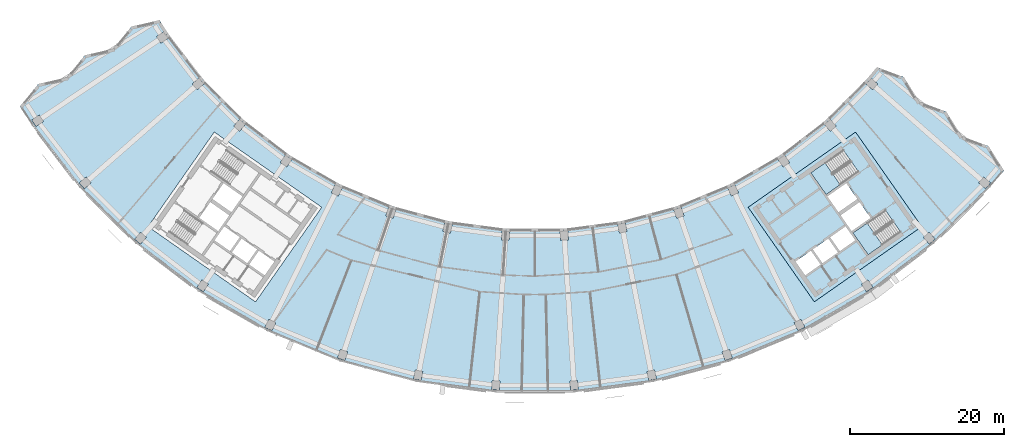
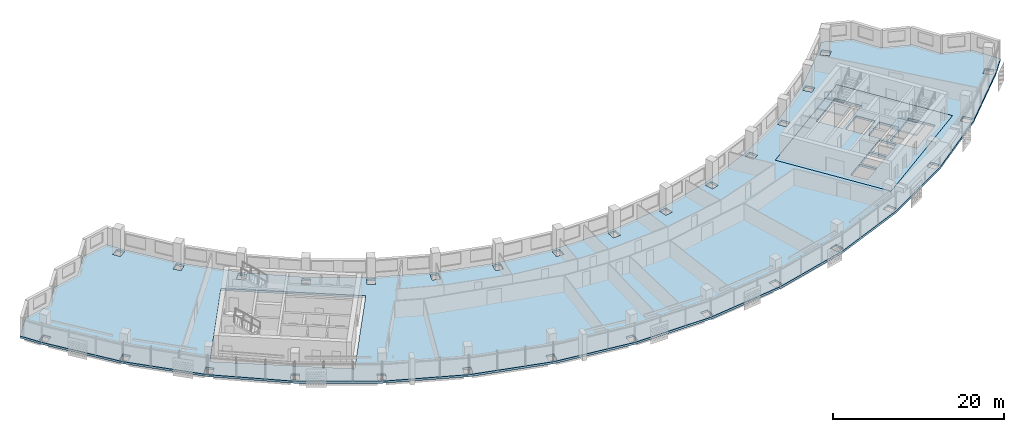
# One storey, part 2 of 28: 4 slabs, 2 elements without a shape of their own.
"""IFC4 building model written with IfcOpenShell, lengths in metres."""

import ifcopenshell
import ifcopenshell.guid

model = None  # the IFC model being written
_history = None  # IfcOwnerHistory: only IFC2X3 demands one
_inside = {}  # id of a spatial element -> (the spatial element, [elements in it])
_under = {}  # id of a project, library or spatial element -> (it, [spatial elements below it])
_declared = {}  # id of a project -> (the project, [libraries it declares])
_typed = {}  # id of a type object -> (the type object, [elements of that type])
_made_of = {}  # id of a material, layer set ... -> (it, [elements and type objects made of it])


def new_model(schema):
    """Start an empty IFC model of exactly this schema.

    Asked for "IFC4X3", IfcOpenShell would pick the latest addendum, in which some entities
    have other attributes; the version numbers below select the first issue.
    IFC2X3 requires an IfcOwnerHistory on every rooted entity: one is made here for all.
    """
    global model, _history
    if schema == "IFC4X3":
        model = ifcopenshell.file(schema_version=(4, 3, 0, 0))
    else:
        model = ifcopenshell.file(schema=schema)
    _inside.clear()
    _under.clear()
    _declared.clear()
    _typed.clear()
    _made_of.clear()
    _history = None
    if model.schema == "IFC2X3":
        org = make("IfcOrganization", Name="unknown")
        user = make(
            "IfcPersonAndOrganization",
            ThePerson=make("IfcPerson", FamilyName="unknown"),
            TheOrganization=org,
        )
        app = make(
            "IfcApplication",
            ApplicationDeveloper=org,
            Version="unknown",
            ApplicationFullName="unknown",
            ApplicationIdentifier="unknown",
        )
        _history = make(
            "IfcOwnerHistory",
            OwningUser=user,
            OwningApplication=app,
            ChangeAction="ADDED",
            CreationDate=0,
        )
    return model


def make(cls, **values):
    """One entity of the class cls with the attributes given. An attribute that is None is left unset."""
    return model.create_entity(
        cls, **{name: value for name, value in values.items() if value is not None}
    )


def rooted(cls, **values):
    """An entity with a GlobalId (a new one), such as an element, a storey or a relation."""
    return make(cls, GlobalId=ifcopenshell.guid.new(), OwnerHistory=_history, **values)


def si_unit(unit_type, name, prefix=None):
    """IfcSIUnit, for example si_unit("LENGTHUNIT", "METRE", prefix="MILLI")."""
    return make("IfcSIUnit", UnitType=unit_type, Prefix=prefix, Name=name)


def assignment(units):
    """IfcUnitAssignment: the units of a project."""
    return None if units is None else make("IfcUnitAssignment", Units=units)


def point(xyz):
    """IfcCartesianPoint."""
    return None if xyz is None else make("IfcCartesianPoint", Coordinates=xyz)


def direction(xyz):
    """IfcDirection."""
    return None if xyz is None else make("IfcDirection", DirectionRatios=xyz)


def frame(location, z_axis=None, x_axis=None):
    """IfcAxis2Placement3D, a coordinate frame: its origin and axes. An axis left out is left unset."""
    return make(
        "IfcAxis2Placement3D",
        Location=point(location),
        Axis=direction(z_axis),
        RefDirection=direction(x_axis),
    )


def origin():
    """The frame at (0, 0, 0) with its axes left unset."""
    return frame((0.0, 0.0, 0.0))


def place(relative_to, where):
    """IfcLocalPlacement: puts the frame where relative to a parent placement (None: the world)."""
    return make(
        "IfcLocalPlacement", PlacementRelTo=relative_to, RelativePlacement=where
    )


def context(
    kind, dimensions, precision=None, world=None, true_north=None, identifier=None
):
    """IfcGeometricRepresentationContext, for example the 3D "Model" context."""
    return make(
        "IfcGeometricRepresentationContext",
        ContextIdentifier=identifier,
        ContextType=kind,
        CoordinateSpaceDimension=dimensions,
        Precision=precision,
        WorldCoordinateSystem=world,
        TrueNorth=true_north,
    )


def subcontext(parent, identifier, kind, view, scale=None):
    """IfcGeometricRepresentationSubContext, for example "Body" below "Model"."""
    return make(
        "IfcGeometricRepresentationSubContext",
        ContextIdentifier=identifier,
        ContextType=kind,
        ParentContext=parent,
        TargetScale=scale,
        TargetView=view,
    )


def project(units=None, contexts=None):
    """IfcProject with its units and contexts."""
    return rooted(
        "IfcProject",
        Name="project",
        RepresentationContexts=contexts,
        UnitsInContext=assignment(units),
    )


def spatial(cls, under=None, at=None, **own):
    """A site, building, storey or space (cls), placed at a placement, below another one or the project."""
    s = rooted(cls, ObjectPlacement=at, **own)
    if under is not None:
        _under.setdefault(under.id(), (under, []))[1].append(s)
    return s


def polyline(points):
    """IfcPolyline through the points."""
    return make("IfcPolyline", Points=[point(p) for p in points])


def outline(outer, holes=None, kind="AREA"):
    """IfcArbitraryClosedProfileDef: a profile drawn as a closed curve; with holes, ...WithVoids."""
    if holes is None:
        return make("IfcArbitraryClosedProfileDef", ProfileType=kind, OuterCurve=outer)
    return make(
        "IfcArbitraryProfileDefWithVoids",
        ProfileType=kind,
        OuterCurve=outer,
        InnerCurves=holes,
    )


def extrude(swept, where, along, depth):
    """IfcExtrudedAreaSolid: the profile swept, set in the frame where, extruded along a direction by depth."""
    return make(
        "IfcExtrudedAreaSolid",
        SweptArea=swept,
        Position=where,
        ExtrudedDirection=direction(along),
        Depth=depth,
    )


def shape(context_of_items, identifier, shape_type, items):
    """IfcShapeRepresentation: the items that make up one representation, for example the "Body"."""
    return make(
        "IfcShapeRepresentation",
        ContextOfItems=context_of_items,
        RepresentationIdentifier=identifier,
        RepresentationType=shape_type,
        Items=items,
    )


def material(Name=None, Category=None):
    """IfcMaterial."""
    return make("IfcMaterial", Name=Name, Category=Category)


def layer(
    of_material, thickness, ventilated=None, Name=None, Category=None, Priority=None
):
    """IfcMaterialLayer: one layer of a wall or slab, of a material (None: an air gap)."""
    return make(
        "IfcMaterialLayer",
        Material=of_material,
        LayerThickness=thickness,
        IsVentilated=ventilated,
        Name=Name,
        Category=Category,
        Priority=Priority,
    )


def layer_set(layers, Name=None):
    """IfcMaterialLayerSet."""
    return make("IfcMaterialLayerSet", MaterialLayers=layers, LayerSetName=Name)


def made_of(thing, what):
    """Note that an element or type object is made of a material, layer set ...; save() writes the relation."""
    if what is not None:
        _made_of.setdefault(what.id(), (what, []))[1].append(thing)
    return thing


def type_object(cls, material=None, **own):
    """A type object (cls), such as IfcWallType, which elements share."""
    return made_of(rooted(cls, **own), material)


def element(
    cls,
    number,
    at=None,
    inside=None,
    cuts=None,
    type_object=None,
    material=None,
    context=None,
    identifier="Body",
    shape_type=None,
    held_by="IfcProductDefinitionShape",
    body=None,
    shapes=None,
    **own,
):
    """One element of the class cls, such as IfcWall. Its Tag is "e" and its number.

    at: its placement. inside: the storey or other place that contains it. cuts: it is an
    opening in that element (IfcRelVoidsElement). A single representation is given by context,
    identifier, shape_type and body (its items); several are given by shapes. held_by: the class
    of the entity that holds the representations. save() writes the other relations.
    """
    e = rooted(cls, Tag="e%d" % number, ObjectPlacement=at, **own)
    if body is not None:
        shapes = [shape(context, identifier, shape_type, body)]
    if shapes is not None:
        e.Representation = make(held_by, Representations=shapes)
    if inside is not None:
        _inside.setdefault(inside.id(), (inside, []))[1].append(e)
    if cuts is not None:
        rooted(
            "IfcRelVoidsElement", RelatingBuildingElement=cuts, RelatedOpeningElement=e
        )
    if type_object is not None:
        _typed.setdefault(type_object.id(), (type_object, []))[1].append(e)
    return made_of(e, material)


def aggregate(whole, parts):
    """IfcRelAggregates: a whole, such as a stair, and the parts it consists of."""
    return rooted("IfcRelAggregates", RelatingObject=whole, RelatedObjects=parts)


def save(model, path):
    """Write the relations noted so far, then the file.

    IfcRelAggregates (storeys below a building ...), IfcRelContainedInSpatialStructure (elements
    in a storey), IfcRelDefinesByType, IfcRelAssociatesMaterial and IfcRelDeclares: one each for
    every whole, place, type object, material and project.
    """
    for whole, parts in _under.values():
        aggregate(whole, parts)
    for where, things in _inside.values():
        rooted(
            "IfcRelContainedInSpatialStructure",
            RelatedElements=things,
            RelatingStructure=where,
        )
    for kind, things in _typed.values():
        rooted("IfcRelDefinesByType", RelatedObjects=things, RelatingType=kind)
    for what, things in _made_of.values():
        rooted("IfcRelAssociatesMaterial", RelatedObjects=things, RelatingMaterial=what)
    for by, libraries in _declared.values():
        rooted("IfcRelDeclares", RelatingContext=by, RelatedDefinitions=libraries)
    model.write(path)


model = new_model("IFC4")

# Units and contexts
model_context = context("Model", 3, precision=1e-05, world=origin(), true_north=direction((0.0, 1.0)))
body_context = subcontext(model_context, "Body", "Model", "MODEL_VIEW")
ifc_project = project(units=[si_unit("LENGTHUNIT", "METRE"), si_unit("AREAUNIT", "SQUARE_METRE"), si_unit("VOLUMEUNIT", "CUBIC_METRE"), si_unit("PLANEANGLEUNIT", "RADIAN"), si_unit("MASSUNIT", "GRAM", prefix="KILO")], contexts=[model_context])

# Site, building, storey
site_placement = place(None, origin())
site = spatial("IfcSite", under=ifc_project, at=site_placement, CompositionType="ELEMENT")
building_placement = place(site_placement, origin())
building = spatial("IfcBuilding", under=site, at=building_placement, Name="Qamariyya Broadcast Tower", CompositionType="ELEMENT")
storey_placement = place(building_placement, frame((0.0, 0.0, 230.300048828125)))
storey = spatial("IfcBuildingStorey", under=building, at=storey_placement, Name="L55", CompositionType="ELEMENT", Elevation=230.300048828125)

# Slabs
ifc_material_1 = material(Name="Concrete C40/50", Category="concrete")
ifc_layer_1 = layer(ifc_material_1, 0.300048828125)
ifc_layer_set_1 = layer_set([ifc_layer_1], Name="Core floor slab 300 mm Concrete C40/50")
slab_type_1 = type_object("IfcSlabType", Name="Core floor slab 300 mm Concrete C40/50", PredefinedType="FLOOR", material=ifc_layer_set_1)
slab_1_placement = place(storey_placement, frame((0.0, 0.0, -0.300048828125)))
element("IfcSlab", 1, at=slab_1_placement, inside=storey, type_object=slab_type_1, Name="k-E-L55-slab", PredefinedType="FLOOR", context=body_context, shape_type="SweptSolid", body=[
    extrude(outline(polyline([(36.32373046875, -66.734375), (50.286376953125, -56.95751953125), (41.6826171875, -44.67041015625), (27.719970703125, -54.447021484375), (36.32373046875, -66.734375)]), holes=[polyline([(33.87353515625, -61.49169921875), (35.88037109375, -60.08642578125), (37.142333984375, -61.888427734375), (35.13525390625, -63.293701171875), (33.87353515625, -61.49169921875)]), polyline([(36.126220703125, -59.914306640625), (38.133056640625, -58.509033203125), (39.394775390625, -60.311279296875), (37.387939453125, -61.716552734375), (36.126220703125, -59.914306640625)]), polyline([(38.378662109375, -58.3369140625), (40.3857421875, -56.931640625), (41.6474609375, -58.73388671875), (39.640625, -60.13916015625), (38.378662109375, -58.3369140625)]), polyline([(39.742431640625, -55.489990234375), (42.199951171875, -53.769287109375), (43.6337890625, -55.817138671875), (41.17626953125, -57.537841796875), (39.742431640625, -55.489990234375)]), polyline([(39.45556640625, -55.080322265625), (41.9130859375, -53.359619140625), (40.47900390625, -51.311767578125), (38.021728515625, -53.032470703125), (39.45556640625, -55.080322265625)]), polyline([(40.082275390625, -47.01171875), (35.870849609375, -49.960693359375), (37.849609375, -52.78662109375), (42.06103515625, -49.837890625), (40.082275390625, -47.01171875)]), polyline([(45.559814453125, -54.834716796875), (41.348388671875, -57.783447265625), (43.3271484375, -60.609619140625), (47.538818359375, -57.66064453125), (45.559814453125, -54.834716796875)])]), origin(), (0.0, 0.0, 1.0), 0.300048828125),
])
ifc_layer_2 = layer(ifc_material_1, 0.300048828125)
ifc_layer_set_2 = layer_set([ifc_layer_2], Name="Post-tensioned floor slab 300 C40/50")
slab_type_2 = type_object("IfcSlabType", Name="Post-tensioned floor slab 300 C40/50", PredefinedType="FLOOR", material=ifc_layer_set_2)
slab_2_placement = place(storey_placement, frame((0.0, 0.0, -0.300048828125)))
element("IfcSlab", 2, at=slab_2_placement, inside=storey, type_object=slab_type_2, Name="Floor slab S4 L55", PredefinedType="FLOOR", context=body_context, shape_type="SweptSolid", body=[
    extrude(outline(polyline([(-64.54150390625, -38.39794921875), (-66.94140625, -41.287841796875), (-65.39501953125, -43.695556640625), (-59.132080078125, -51.857666015625), (-51.857666015625, -59.132080078125), (-43.695556640625, -65.39501953125), (-34.785888671875, -70.5390625), (-25.28125, -74.47607421875), (-15.34375, -77.138671875), (-5.14404296875, -78.481689453125), (5.14404296875, -78.481689453125), (15.34375, -77.138671875), (25.28125, -74.47607421875), (34.785888671875, -70.5390625), (43.695556640625, -65.39501953125), (51.857666015625, -59.132080078125), (59.132080078125, -51.857666015625), (60.9794921875, -49.672119140625), (58.9775390625, -46.49365234375), (55.474609375, -45.18798828125), (53.471923828125, -42.009033203125), (49.9697265625, -40.7041015625), (47.966064453125, -37.524169921875), (44.465087890625, -36.219970703125), (43.117919921875, -37.8134765625), (37.8134765625, -43.117919921875), (31.862060546875, -47.684814453125), (25.365234375, -51.435546875), (18.4345703125, -54.306396484375), (11.1884765625, -56.248046875), (3.7509765625, -57.227294921875), (-3.7509765625, -57.227294921875), (-11.1884765625, -56.248046875), (-18.4345703125, -54.306396484375), (-25.365234375, -51.435546875), (-31.862060546875, -47.684814453125), (-37.8134765625, -43.117919921875), (-43.117919921875, -37.8134765625), (-47.684814453125, -31.862060546875), (-48.812255859375, -30.106201171875), (-52.45361328125, -30.9423828125), (-54.855224609375, -33.83349609375), (-58.497802734375, -34.670166015625), (-60.898193359375, -37.560546875), (-64.54150390625, -38.39794921875)]), holes=[polyline([(-5.62158203125, -78.12451171875), (-5.54638671875, -76.97705078125), (-4.548583984375, -77.04248046875), (-4.623779296875, -78.18994140625), (-5.62158203125, -78.12451171875)]), polyline([(-15.770751953125, -76.722412109375), (-15.54638671875, -75.594482421875), (-14.565673828125, -75.78955078125), (-14.7900390625, -76.91748046875), (-15.770751953125, -76.722412109375)]), polyline([(-25.650146484375, -74.007568359375), (-25.280517578125, -72.918701171875), (-24.333740234375, -73.239990234375), (-24.703369140625, -74.3291015625), (-25.650146484375, -74.007568359375)]), polyline([(-35.090576171875, -70.0263671875), (-34.58203125, -68.9951171875), (-33.685302734375, -69.437255859375), (-34.19384765625, -70.46875), (-35.090576171875, -70.0263671875)]), polyline([(-43.9306640625, -64.84716796875), (-43.291748046875, -63.890869140625), (-42.46044921875, -64.446533203125), (-43.099365234375, -65.402587890625), (-43.9306640625, -64.84716796875)]), polyline([(-52.019287109375, -58.55810546875), (-51.260986328125, -57.693603515625), (-50.509033203125, -58.35302734375), (-51.267333984375, -59.217529296875), (-52.019287109375, -58.55810546875)]), polyline([(-11.966552734375, -57.59716796875), (-11.7421875, -56.46923828125), (-10.761474609375, -56.664306640625), (-10.98583984375, -57.792236328125), (-11.966552734375, -57.59716796875)]), polyline([(-50.286376953125, -56.95751953125), (-41.6826171875, -44.67041015625), (-27.719970703125, -54.447021484375), (-36.32373046875, -66.734375), (-50.286376953125, -56.95751953125)]), polyline([(-19.382080078125, -55.54248046875), (-19.012451171875, -54.453369140625), (-18.065673828125, -54.77490234375), (-18.435302734375, -55.86376953125), (-19.382080078125, -55.54248046875)]), polyline([(-26.466064453125, -52.537353515625), (-25.95751953125, -51.506103515625), (-25.060546875, -51.9482421875), (-25.569091796875, -52.979736328125), (-26.466064453125, -52.537353515625)]), polyline([(-59.217529296875, -51.267333984375), (-58.35302734375, -50.509033203125), (-57.693603515625, -51.260986328125), (-58.55810546875, -52.019287109375), (-59.217529296875, -51.267333984375)]), polyline([(-33.09716796875, -48.63330078125), (-32.458251953125, -47.67724609375), (-31.626708984375, -48.23291015625), (-32.265625, -49.18896484375), (-33.09716796875, -48.63330078125)]), polyline([(-39.161865234375, -43.897216796875), (-38.40380859375, -43.03271484375), (-37.65185546875, -43.692138671875), (-38.41015625, -44.556640625), (-39.161865234375, -43.897216796875)]), polyline([(-65.402587890625, -43.099365234375), (-64.446533203125, -42.46044921875), (-63.890869140625, -43.291748046875), (-64.84716796875, -43.9306640625), (-65.402587890625, -43.099365234375)]), polyline([(-44.556640625, -38.41015625), (-43.692138671875, -37.65185546875), (-43.03271484375, -38.40380859375), (-43.897216796875, -39.161865234375), (-44.556640625, -38.41015625)]), polyline([(-49.18896484375, -32.265625), (-48.23291015625, -31.626708984375), (-47.67724609375, -32.458251953125), (-48.63330078125, -33.09716796875), (-49.18896484375, -32.265625)]), polyline([(4.623779296875, -78.18994140625), (4.548583984375, -77.04248046875), (5.54638671875, -76.97705078125), (5.62158203125, -78.12451171875), (4.623779296875, -78.18994140625)]), polyline([(14.7900390625, -76.91748046875), (14.565673828125, -75.78955078125), (15.54638671875, -75.594482421875), (15.770751953125, -76.722412109375), (14.7900390625, -76.91748046875)]), polyline([(24.703369140625, -74.3291015625), (24.333740234375, -73.239990234375), (25.280517578125, -72.918701171875), (25.650146484375, -74.007568359375), (24.703369140625, -74.3291015625)]), polyline([(34.19384765625, -70.46875), (33.685302734375, -69.437255859375), (34.58203125, -68.9951171875), (35.090576171875, -70.0263671875), (34.19384765625, -70.46875)]), polyline([(43.099365234375, -65.402587890625), (42.46044921875, -64.446533203125), (43.291748046875, -63.890869140625), (43.9306640625, -64.84716796875), (43.099365234375, -65.402587890625)]), polyline([(51.267333984375, -59.217529296875), (50.509033203125, -58.35302734375), (51.260986328125, -57.693603515625), (52.019287109375, -58.55810546875), (51.267333984375, -59.217529296875)]), polyline([(-4.34619140625, -58.666259765625), (-4.27099609375, -57.518798828125), (-3.273193359375, -57.584228515625), (-3.348388671875, -58.731689453125), (-4.34619140625, -58.666259765625)]), polyline([(3.348388671875, -58.731689453125), (3.273193359375, -57.584228515625), (4.27099609375, -57.518798828125), (4.34619140625, -58.666259765625), (3.348388671875, -58.731689453125)]), polyline([(10.98583984375, -57.792236328125), (10.761474609375, -56.664306640625), (11.7421875, -56.46923828125), (11.966552734375, -57.59716796875), (10.98583984375, -57.792236328125)]), polyline([(36.32373046875, -66.734375), (27.719970703125, -54.447021484375), (41.6826171875, -44.67041015625), (50.286376953125, -56.95751953125), (36.32373046875, -66.734375)]), polyline([(18.435302734375, -55.86376953125), (18.065673828125, -54.77490234375), (19.012451171875, -54.453369140625), (19.382080078125, -55.54248046875), (18.435302734375, -55.86376953125)]), polyline([(25.569091796875, -52.979736328125), (25.060546875, -51.9482421875), (25.95751953125, -51.506103515625), (26.466064453125, -52.537353515625), (25.569091796875, -52.979736328125)]), polyline([(58.55810546875, -52.019287109375), (57.693603515625, -51.260986328125), (58.35302734375, -50.509033203125), (59.217529296875, -51.267333984375), (58.55810546875, -52.019287109375)]), polyline([(32.265625, -49.18896484375), (31.626708984375, -48.23291015625), (32.458251953125, -47.67724609375), (33.09716796875, -48.63330078125), (32.265625, -49.18896484375)]), polyline([(38.41015625, -44.556640625), (37.65185546875, -43.692138671875), (38.40380859375, -43.03271484375), (39.161865234375, -43.897216796875), (38.41015625, -44.556640625)]), polyline([(43.897216796875, -39.161865234375), (43.03271484375, -38.40380859375), (43.692138671875, -37.65185546875), (44.556640625, -38.41015625), (43.897216796875, -39.161865234375)])]), origin(), (0.0, 0.0, 1.0), 0.300048828125),
])

# Stair, slab
ifc_material_2 = material(Name="Concrete C50/60", Category="concrete")
stair_type = type_object("IfcStairType", Name="Exit stair 22 risers of 173 mm", PredefinedType="HALF_TURN_STAIR", material=ifc_material_2)
stair_1_placement = place(storey_placement, origin())
stair_1 = element("IfcStair", 3, at=stair_1_placement, inside=storey, type_object=stair_type, Name="L55 Stair E2", PredefinedType="HALF_TURN_STAIR")
ifc_layer_3 = layer(ifc_material_2, 0.199951171875)
ifc_layer_set_3 = layer_set([ifc_layer_3], Name="Stair landing")
slab_type_3 = type_object("IfcSlabType", Name="Stair landing", PredefinedType="LANDING", material=ifc_layer_set_3)
slab_3_placement = place(storey_placement, frame((0.0, 0.0, 1.699951171875)))
slab_3 = element("IfcSlab", 4, at=slab_3_placement, type_object=slab_type_3, Name="ST-E2 landing 1", PredefinedType="LANDING", context=body_context, shape_type="SweptSolid", body=[
    extrude(outline(polyline([(37.71337890625, -48.67041015625), (35.870849609375, -49.960693359375), (37.849609375, -52.78662109375), (39.692138671875, -51.49658203125), (37.71337890625, -48.67041015625)])), origin(), (0.0, 0.0, 1.0), 0.199951171875),
])
aggregate(stair_1, [slab_3])

stair_2_placement = place(storey_placement, origin())
stair_2 = element("IfcStair", 5, at=stair_2_placement, inside=storey, type_object=stair_type, Name="L55 Stair E1", PredefinedType="HALF_TURN_STAIR")
slab_4_placement = place(storey_placement, frame((0.0, 0.0, 1.699951171875)))
slab_4 = element("IfcSlab", 6, at=slab_4_placement, type_object=slab_type_3, Name="ST-E1 landing 1", PredefinedType="LANDING", context=body_context, shape_type="SweptSolid", body=[
    extrude(outline(polyline([(43.19091796875, -56.493408203125), (41.348388671875, -57.783447265625), (43.3271484375, -60.609619140625), (45.169677734375, -59.319580078125), (43.19091796875, -56.493408203125)])), origin(), (0.0, 0.0, 1.0), 0.199951171875),
])
aggregate(stair_2, [slab_4])

save(model, "model.ifc")
